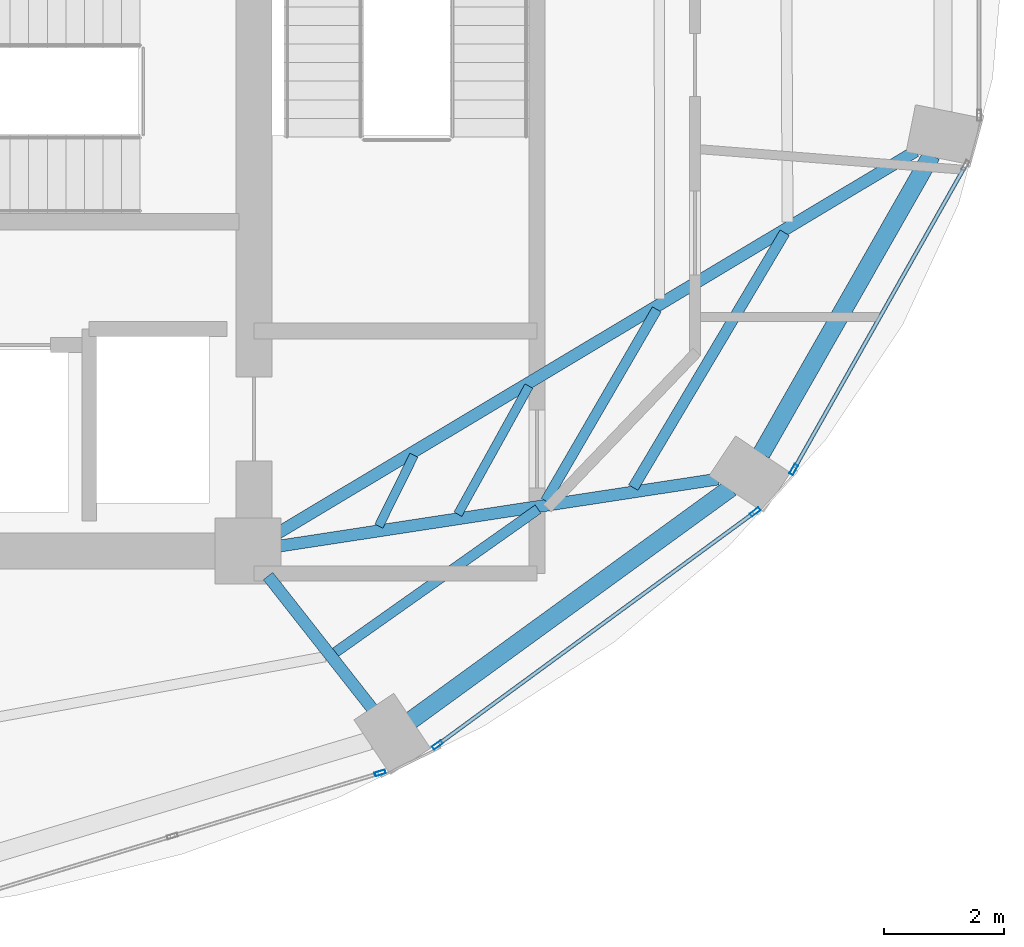
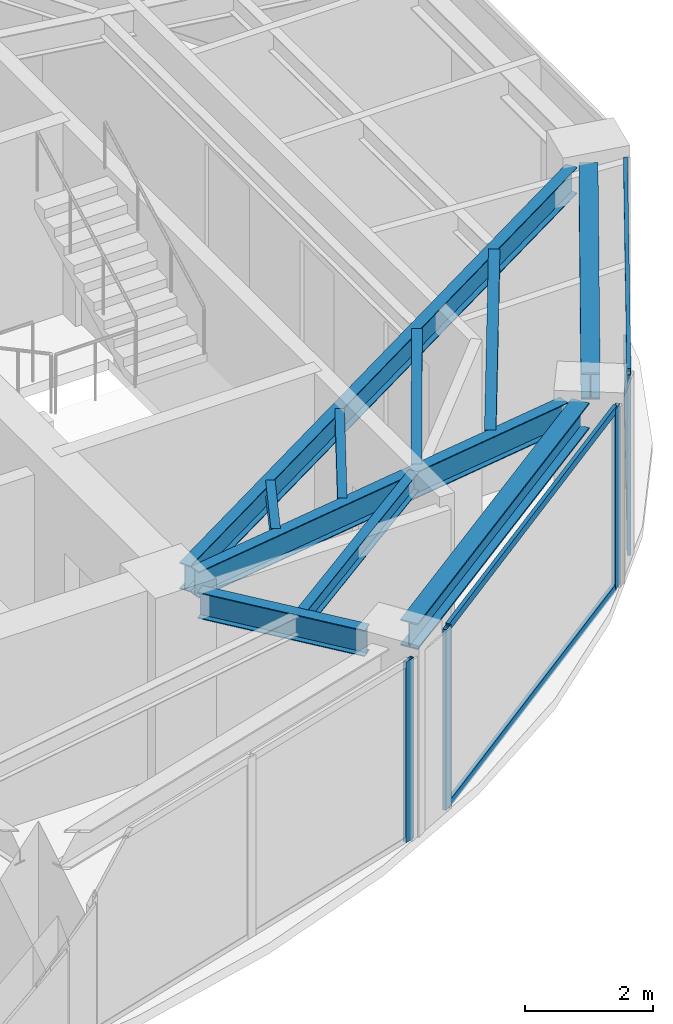
# One storey, part 13 of 23: 10 beams, 8 members, 3 elements without a shape of their own.
"""IFC4 building model written with IfcOpenShell, lengths in metres."""

from ifc_helpers import new_model, si_unit, direction, frame, origin, origin_2d, place, context, subcontext, project, spatial, hollow_rectangle, i_section, extrude, material, layer, layer_set, material_profile, profile_set, type_object, element, aggregate, save


model = new_model("IFC4")

# Units and contexts
model_context = context("Model", 3, precision=1e-05, world=origin(), true_north=direction((0.0, 1.0)))
body_context = subcontext(model_context, "Body", "Model", "MODEL_VIEW")
ifc_project = project(units=[si_unit("LENGTHUNIT", "METRE"), si_unit("AREAUNIT", "SQUARE_METRE"), si_unit("VOLUMEUNIT", "CUBIC_METRE"), si_unit("PLANEANGLEUNIT", "RADIAN"), si_unit("MASSUNIT", "GRAM", prefix="KILO")], contexts=[model_context])

# Site, building, storey
site_placement = place(None, origin())
site = spatial("IfcSite", under=ifc_project, at=site_placement, CompositionType="ELEMENT")
building_placement = place(site_placement, origin())
building = spatial("IfcBuilding", under=site, at=building_placement, Name="Lazwardi Medical Tower", CompositionType="ELEMENT")
storey_placement = place(building_placement, frame((0.0, 0.0, 202.1279296875)))
storey = spatial("IfcBuildingStorey", under=building, at=storey_placement, Name="L52", CompositionType="ELEMENT", Elevation=202.1279296875)

# Beams
ifc_material_1 = material(Name="Steel S355", Category="steel")
ifc_material_profile_1 = material_profile(ifc_material_1, i_section(OverallWidth=0.300048828125, OverallDepth=0.5, WebThickness=0.014404296875, FlangeThickness=0.028076171875, at=origin_2d()), Name="HEB 500")
ifc_profile_set_1 = profile_set([ifc_material_profile_1], Name="Steel S355")
beam_type_1 = type_object("IfcBeamType", Name="BM-RB-Z4", PredefinedType="BEAM", material=ifc_profile_set_1)
beam_1_placement = place(storey_placement, frame((48.31591796875, 17.5751953125, 3.197998046875), z_axis=(0.808889916254, 0.587960120571, 0.0), x_axis=(-0.587960120571, 0.808889916254, 0.0)))
element("IfcBeam", 1, at=beam_1_placement, inside=storey, type_object=beam_type_1, Name="Ring beam RB-05 B02 L52", PredefinedType="BEAM", context=body_context, shape_type="SweptSolid", body=[
    extrude(i_section(OverallWidth=0.300048828125, OverallDepth=0.5, WebThickness=0.014404296875, FlangeThickness=0.028076171875, at=origin_2d()), origin(), (0.0, 0.0, 1.0), 6.587158203125),
])
beam_2_placement = place(storey_placement, frame((54.15283203125, 22.016357421875, 3.197998046875), z_axis=(0.495125273299, 0.868821594886, 0.0), x_axis=(-0.868821594886, 0.495125273299, 0.0)))
element("IfcBeam", 2, at=beam_2_placement, inside=storey, type_object=beam_type_1, Name="Ring beam RB-05 B03 L52", PredefinedType="BEAM", context=body_context, shape_type="SweptSolid", body=[
    extrude(i_section(OverallWidth=0.300048828125, OverallDepth=0.5, WebThickness=0.014404296875, FlangeThickness=0.028076171875, at=origin_2d()), origin(), (0.0, 0.0, 1.0), 5.734130859375),
])
ifc_material_profile_2 = material_profile(ifc_material_1, i_section(OverallWidth=0.199951171875, OverallDepth=0.5, WebThickness=0.01025390625, FlangeThickness=0.01611328125, at=origin_2d()), Name="IPE 500")
ifc_profile_set_2 = profile_set([ifc_material_profile_2], Name="Steel S355")
beam_type_2 = type_object("IfcBeamType", Name="BM-RG-W3", PredefinedType="BEAM", material=ifc_profile_set_2)
beam_3_placement = place(storey_placement, frame((47.669677734375, 17.7666015625, 3.197998046875), z_axis=(-0.617890508382, 0.786264153864, 0.0), x_axis=(-0.786264153864, -0.617890508382, 0.0)))
element("IfcBeam", 3, at=beam_3_placement, inside=storey, type_object=beam_type_2, Name="Radial girder RG-04 R02 L52", PredefinedType="BEAM", context=body_context, shape_type="SweptSolid", body=[
    extrude(i_section(OverallWidth=0.199951171875, OverallDepth=0.5, WebThickness=0.01025390625, FlangeThickness=0.01611328125, at=origin_2d()), origin(), (0.0, 0.0, 1.0), 2.814453125),
])
beam_4_placement = place(storey_placement, frame((53.430908203125, 21.5966796875, 3.197998046875), z_axis=(-0.988522137285, -0.151076087115, 0.0), x_axis=(0.151076087115, -0.988522137285, 0.0)))
element("IfcBeam", 4, at=beam_4_placement, inside=storey, type_object=beam_type_2, Name="Radial girder RG-04 R03 L52", PredefinedType="BEAM", context=body_context, shape_type="SweptSolid", body=[
    extrude(i_section(OverallWidth=0.199951171875, OverallDepth=0.5, WebThickness=0.01025390625, FlangeThickness=0.01611328125, at=origin_2d()), origin(), (0.0, 0.0, 1.0), 7.38671875),
])
beam_5_placement = place(storey_placement, frame((56.72607421875, 27.062255859375, 3.197998046875), z_axis=(-0.857944804603, -0.513741873176, 0.0), x_axis=(0.513741873176, -0.857944804603, 0.0)))
element("IfcBeam", 5, at=beam_5_placement, inside=storey, type_object=beam_type_2, Name="Radial girder RG-04 R04 L52", PredefinedType="BEAM", context=body_context, shape_type="SweptSolid", body=[
    extrude(i_section(OverallWidth=0.199951171875, OverallDepth=0.5, WebThickness=0.01025390625, FlangeThickness=0.01611328125, at=origin_2d()), origin(), (0.0, 0.0, 1.0), 12.43310546875),
])
ifc_material_profile_3 = material_profile(ifc_material_1, i_section(OverallWidth=0.179931640625, OverallDepth=0.39990234375, WebThickness=0.008544921875, FlangeThickness=0.013427734375, at=origin_2d()), Name="IPE 400")
ifc_profile_set_3 = profile_set([ifc_material_profile_3], Name="Steel S355")
beam_type_3 = type_object("IfcBeamType", Name="BM-SJ-01", PredefinedType="JOIST", material=ifc_profile_set_3)
beam_6_placement = place(storey_placement, frame((52.01904296875, 21.455078125, 3.248046875), z_axis=(0.510967866251, 0.859599813668, 0.0), x_axis=(-0.859599813668, 0.510967866251, 0.0)))
element("IfcBeam", 6, at=beam_6_placement, inside=storey, type_object=beam_type_3, Name="Secondary joist SJ-01 R1 B03 L52", PredefinedType="JOIST", context=body_context, shape_type="SweptSolid", body=[
    extrude(i_section(OverallWidth=0.179931640625, OverallDepth=0.39990234375, WebThickness=0.008544921875, FlangeThickness=0.013427734375, at=origin_2d()), origin(), (0.0, 0.0, 1.0), 4.94189453125),
])
ifc_material_profile_4 = material_profile(ifc_material_1, i_section(OverallWidth=0.169921875, OverallDepth=0.360107421875, WebThickness=0.008056640625, FlangeThickness=0.0126953125, at=origin_2d()), Name="IPE 360")
ifc_profile_set_4 = profile_set([ifc_material_profile_4], Name="Steel S355")
beam_type_4 = type_object("IfcBeamType", Name="BM-SJ-02", PredefinedType="JOIST", material=ifc_profile_set_4)
beam_7_placement = place(storey_placement, frame((47.051513671875, 18.70654296875, 3.26806640625), z_axis=(0.816711190406, 0.577046645832, 0.0), x_axis=(-0.577046645832, 0.816711190406, 0.0)))
element("IfcBeam", 7, at=beam_7_placement, inside=storey, type_object=beam_type_4, Name="Secondary joist SJ-02 R2 B02 L52", PredefinedType="JOIST", context=body_context, shape_type="SweptSolid", body=[
    extrude(i_section(OverallWidth=0.169921875, OverallDepth=0.360107421875, WebThickness=0.008056640625, FlangeThickness=0.0126953125, at=origin_2d()), origin(), (0.0, 0.0, 1.0), 4.139892578125),
])
beam_8_placement = place(storey_placement, frame((50.5576171875, 21.232421875, 3.26806640625), z_axis=(0.50218018565, 0.864763008657, 0.0), x_axis=(-0.864763008657, 0.50218018565, 0.0)))
element("IfcBeam", 8, at=beam_8_placement, inside=storey, type_object=beam_type_4, Name="Secondary joist SJ-02 R2 B03 L52", PredefinedType="JOIST", context=body_context, shape_type="SweptSolid", body=[
    extrude(i_section(OverallWidth=0.169921875, OverallDepth=0.360107421875, WebThickness=0.008056640625, FlangeThickness=0.0126953125, at=origin_2d()), origin(), (0.0, 0.0, 1.0), 3.69189453125),
])
ifc_material_profile_5 = material_profile(ifc_material_1, i_section(OverallWidth=0.14990234375, OverallDepth=0.300048828125, WebThickness=0.007080078125, FlangeThickness=0.0107421875, at=origin_2d()), Name="IPE 300")
ifc_profile_set_5 = profile_set([ifc_material_profile_5], Name="Steel S355")
beam_type_5 = type_object("IfcBeamType", Name="BM-SJ-03", PredefinedType="JOIST", material=ifc_profile_set_5)
beam_9_placement = place(storey_placement, frame((49.095703125, 21.01025390625, 3.298095703125), z_axis=(0.484751625998, 0.874651851363, 0.0), x_axis=(-0.874651851363, 0.484751625998, 0.0)))
element("IfcBeam", 9, at=beam_9_placement, inside=storey, type_object=beam_type_5, Name="Secondary joist SJ-03 R3 B03 L52", PredefinedType="JOIST", context=body_context, shape_type="SweptSolid", body=[
    extrude(i_section(OverallWidth=0.14990234375, OverallDepth=0.300048828125, WebThickness=0.007080078125, FlangeThickness=0.0107421875, at=origin_2d()), origin(), (0.0, 0.0, 1.0), 2.442626953125),
])
beam_10_placement = place(storey_placement, frame((47.777587890625, 20.811279296875, 3.298095703125), z_axis=(0.443587297772, 0.89623116954, 0.0), x_axis=(-0.89623116954, 0.443587297772, 0.0)))
element("IfcBeam", 10, at=beam_10_placement, inside=storey, type_object=beam_type_5, Name="Secondary joist SJ-03 R4 B03 L52", PredefinedType="JOIST", context=body_context, shape_type="SweptSolid", body=[
    extrude(i_section(OverallWidth=0.14990234375, OverallDepth=0.300048828125, WebThickness=0.007080078125, FlangeThickness=0.0107421875, at=origin_2d()), origin(), (0.0, 0.0, 1.0), 1.32080078125),
])

# Curtain wall, member
ifc_material_2 = material(Name="Anodised bronze aluminium and solar control glazing", Category="aluminium")
ifc_layer = layer(ifc_material_2, 0.18994140625)
ifc_layer_set = layer_set([ifc_layer], Name="Anodised bronze aluminium and solar control glazing")
curtain_wall_type = type_object("IfcCurtainWallType", Name="CW-SYS-04", PredefinedType="NOTDEFINED", material=ifc_layer_set)
curtain_wall_1_placement = place(storey_placement, origin())
curtain_wall_1 = element("IfcCurtainWall", 11, at=curtain_wall_1_placement, inside=storey, type_object=curtain_wall_type, Name="L52 Unitised bronze curtain wall CW-04", PredefinedType="NOTDEFINED")
ifc_material_3 = material(Name="Anodised bronze aluminium", Category="aluminium")
ifc_material_profile_6 = material_profile(ifc_material_3, hollow_rectangle(XDim=0.06494140625, YDim=0.179931640625, WallThickness=0.00390625, at=origin_2d()), Name="ALU-MULLION 180x65x4")
ifc_profile_set_6 = profile_set([ifc_material_profile_6], Name="Anodised bronze aluminium")
member_type_1 = type_object("IfcMemberType", Name="CW-MUL-03", PredefinedType="MULLION", material=ifc_profile_set_6)
member_1_placement = place(storey_placement, frame((47.7998046875, 16.696533203125, 0.0), z_axis=(0.0, 0.0, 1.0), x_axis=(-0.290581889515, 0.956850126972, 0.0)))
member_1 = element("IfcMember", 12, at=member_1_placement, type_object=member_type_1, Name="CW-04 mullion 3", PredefinedType="MULLION", context=body_context, shape_type="SweptSolid", body=[
    extrude(hollow_rectangle(XDim=0.06494140625, YDim=0.179931640625, WallThickness=0.00390625, at=origin_2d()), origin(), (0.0, 0.0, 1.0), 3.447998046875),
])
aggregate(curtain_wall_1, [member_1])

# Curtain wall, members
curtain_wall_2_placement = place(storey_placement, origin())
curtain_wall_2 = element("IfcCurtainWall", 13, at=curtain_wall_2_placement, inside=storey, type_object=curtain_wall_type, Name="L52 Unitised bronze curtain wall CW-04", PredefinedType="NOTDEFINED")
member_2_placement = place(storey_placement, frame((48.75537109375, 17.1650390625, 0.0), z_axis=(0.0, 0.0, 1.0), x_axis=(-0.591268230971, 0.806474971121, 0.0)))
member_2 = element("IfcMember", 14, at=member_2_placement, type_object=member_type_1, Name="CW-04 mullion 1", PredefinedType="MULLION", context=body_context, shape_type="SweptSolid", body=[
    extrude(hollow_rectangle(XDim=0.06494140625, YDim=0.179931640625, WallThickness=0.00390625, at=origin_2d()), origin(), (0.0, 0.0, 1.0), 3.447998046875),
])
member_3_placement = place(storey_placement, frame((54.052001953125, 21.04833984375, 0.0), z_axis=(0.0, 0.0, 1.0), x_axis=(-0.591268230971, 0.806474971121, 0.0)))
member_3 = element("IfcMember", 15, at=member_3_placement, type_object=member_type_1, Name="CW-04 mullion 2", PredefinedType="MULLION", context=body_context, shape_type="SweptSolid", body=[
    extrude(hollow_rectangle(XDim=0.06494140625, YDim=0.179931640625, WallThickness=0.00390625, at=origin_2d()), origin(), (0.0, 0.0, 1.0), 3.447998046875),
])

# Curtain wall, member
curtain_wall_3_placement = place(storey_placement, origin())
curtain_wall_3 = element("IfcCurtainWall", 16, at=curtain_wall_3_placement, inside=storey, type_object=curtain_wall_type, Name="L52 Unitised bronze curtain wall CW-04", PredefinedType="NOTDEFINED")
member_4_placement = place(storey_placement, frame((54.6943359375, 21.75439453125, 0.0), z_axis=(0.0, 0.0, 1.0), x_axis=(-0.870651436011, 0.491900474661, 0.0)))
member_4 = element("IfcMember", 17, at=member_4_placement, type_object=member_type_1, Name="CW-04 mullion 1", PredefinedType="MULLION", context=body_context, shape_type="SweptSolid", body=[
    extrude(hollow_rectangle(XDim=0.06494140625, YDim=0.179931640625, WallThickness=0.00390625, at=origin_2d()), origin(), (0.0, 0.0, 1.0), 3.447998046875),
])

# Member
ifc_material_profile_7 = material_profile(ifc_material_3, hollow_rectangle(XDim=0.06494140625, YDim=0.139892578125, WallThickness=0.00341796875, at=origin_2d()), Name="ALU-TRANSOM 140x65x3.5")
ifc_profile_set_7 = profile_set([ifc_material_profile_7], Name="Anodised bronze aluminium")
member_type_2 = type_object("IfcMemberType", Name="CW-TRN-03", PredefinedType="USERDEFINED", material=ifc_profile_set_7)
member_5_placement = place(storey_placement, frame((48.781494140625, 17.184326171875, 0.032470703125), z_axis=(0.80648973359, 0.591248094808, 0.0), x_axis=(-0.591248094808, 0.80648973359, 0.0)))
member_5 = element("IfcMember", 18, at=member_5_placement, type_object=member_type_2, Name="CW-04 transom 1.1", ObjectType="TRANSOM", PredefinedType="USERDEFINED", context=body_context, shape_type="SweptSolid", body=[
    extrude(hollow_rectangle(XDim=0.06494140625, YDim=0.139892578125, WallThickness=0.00341796875, at=origin_2d()), origin(), (0.0, 0.0, 1.0), 6.502685546875),
])

member_6_placement = place(storey_placement, frame((48.781494140625, 17.184326171875, 3.41552734375), z_axis=(0.80648973359, 0.591248094808, 0.0), x_axis=(-0.591248094808, 0.80648973359, 0.0)))
member_6 = element("IfcMember", 19, at=member_6_placement, type_object=member_type_2, Name="CW-04 transom 1.2", ObjectType="TRANSOM", PredefinedType="USERDEFINED", context=body_context, shape_type="SweptSolid", body=[
    extrude(hollow_rectangle(XDim=0.06494140625, YDim=0.139892578125, WallThickness=0.00341796875, at=origin_2d()), origin(), (0.0, 0.0, 1.0), 6.502685546875),
])

aggregate(curtain_wall_2, [member_2, member_3, member_5, member_6])

member_7_placement = place(storey_placement, frame((54.71044921875, 21.78271484375, 0.032470703125), z_axis=(0.491879719484, 0.87066316194, 0.0), x_axis=(-0.87066316194, 0.491879719484, 0.0)))
member_7 = element("IfcMember", 20, at=member_7_placement, type_object=member_type_2, Name="CW-04 transom 1.1", ObjectType="TRANSOM", PredefinedType="USERDEFINED", context=body_context, shape_type="SweptSolid", body=[
    extrude(hollow_rectangle(XDim=0.06494140625, YDim=0.139892578125, WallThickness=0.00341796875, at=origin_2d()), origin(), (0.0, 0.0, 1.0), 5.755126953125),
])

member_8_placement = place(storey_placement, frame((54.71044921875, 21.78271484375, 3.41552734375), z_axis=(0.491879719484, 0.87066316194, 0.0), x_axis=(-0.87066316194, 0.491879719484, 0.0)))
member_8 = element("IfcMember", 21, at=member_8_placement, type_object=member_type_2, Name="CW-04 transom 1.2", ObjectType="TRANSOM", PredefinedType="USERDEFINED", context=body_context, shape_type="SweptSolid", body=[
    extrude(hollow_rectangle(XDim=0.06494140625, YDim=0.139892578125, WallThickness=0.00341796875, at=origin_2d()), origin(), (0.0, 0.0, 1.0), 5.755126953125),
])

aggregate(curtain_wall_3, [member_4, member_7, member_8])

save(model, "model.ifc")
